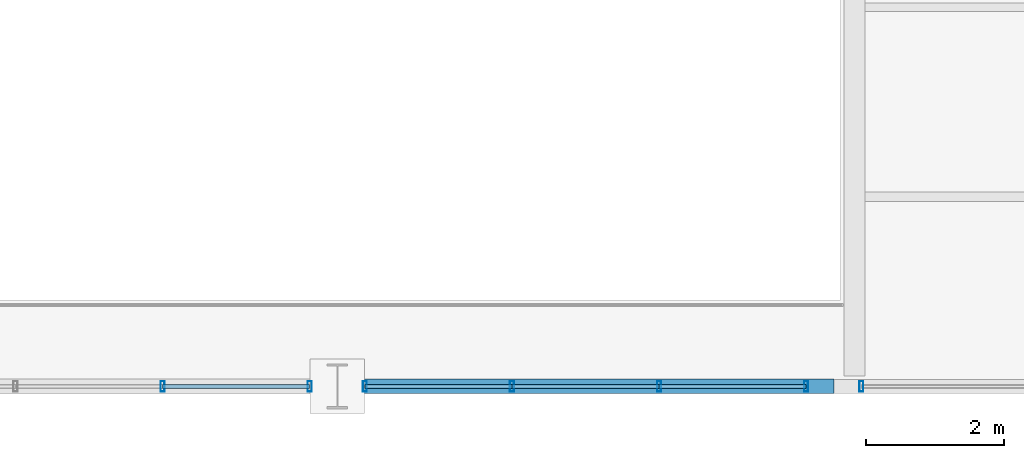
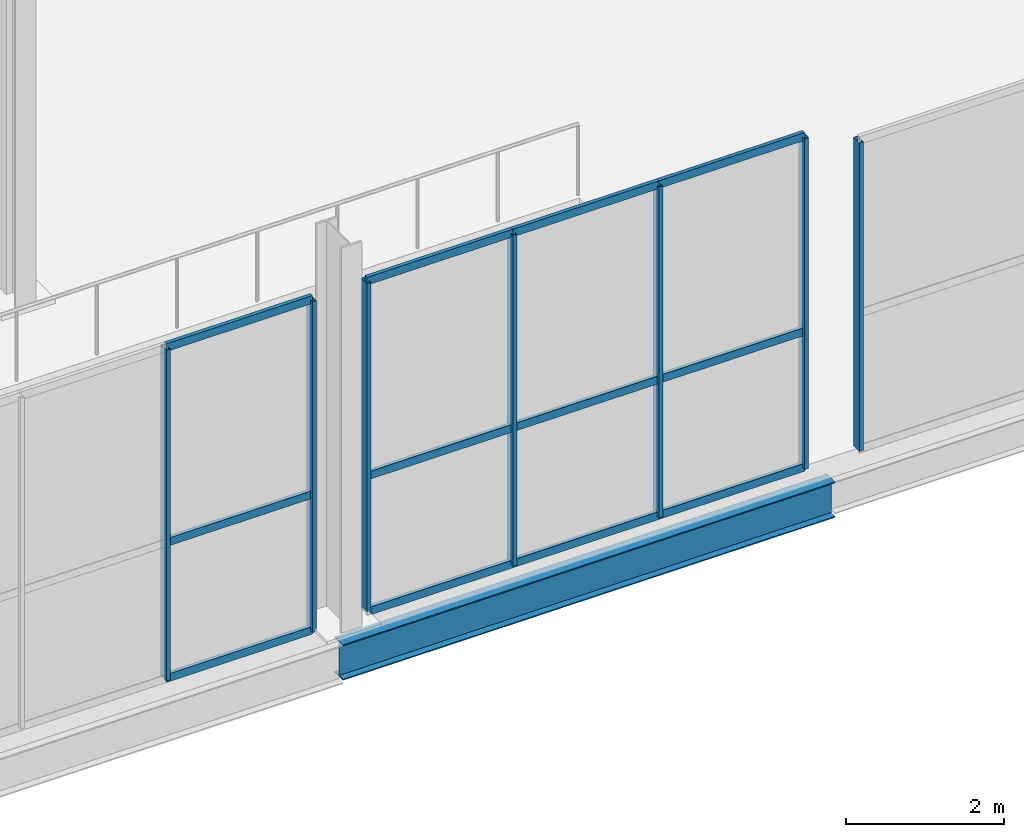
# One storey, part 83 of 144: 19 members, 1 beam, 3 elements without a shape of their own.
"""IFC4 building model written with IfcOpenShell, lengths in metres."""

from ifc_helpers import new_model, si_unit, direction, frame, origin, origin_2d, place, context, subcontext, project, spatial, hollow_rectangle, i_section, extrude, material, layer, layer_set, material_profile, profile_set, type_object, element, aggregate, save


model = new_model("IFC4")

# Units and contexts
model_context = context("Model", 3, precision=1e-05, world=origin(), true_north=direction((0.0, 1.0)))
body_context = subcontext(model_context, "Body", "Model", "MODEL_VIEW")
ifc_project = project(units=[si_unit("LENGTHUNIT", "METRE"), si_unit("AREAUNIT", "SQUARE_METRE"), si_unit("VOLUMEUNIT", "CUBIC_METRE"), si_unit("PLANEANGLEUNIT", "RADIAN"), si_unit("MASSUNIT", "GRAM", prefix="KILO")], contexts=[model_context])

# Site, building, storey
site_placement = place(None, origin())
site = spatial("IfcSite", under=ifc_project, at=site_placement, CompositionType="ELEMENT")
building_placement = place(site_placement, origin())
building = spatial("IfcBuilding", under=site, at=building_placement, Name="Sundgate Opera House", CompositionType="ELEMENT")
storey_placement = place(building_placement, origin())
storey = spatial("IfcBuildingStorey", under=building, at=storey_placement, Name="L00", CompositionType="ELEMENT", Elevation=0.0)

# Beam
ifc_material_1 = material(Name="Steel S355J2", Category="steel")
ifc_material_profile_1 = material_profile(ifc_material_1, i_section(OverallWidth=0.2099609375, OverallDepth=0.550048828125, WebThickness=0.010986328125, FlangeThickness=0.01708984375, at=origin_2d()), Name="IPE 550")
ifc_profile_set_1 = profile_set([ifc_material_profile_1], Name="Steel S355J2")
beam_type = type_object("IfcBeamType", Name="BM-GR-IPE550", PredefinedType="BEAM", material=ifc_profile_set_1)
beam_placement = place(storey_placement, frame((160.199951171875, 0.0, -0.594970703125), z_axis=(1.0, 0.0, 0.0), x_axis=(0.0, 1.0, 0.0)))
element("IfcBeam", 1, at=beam_placement, inside=storey, type_object=beam_type, Name="L00 Primary E-W Girder B0337", PredefinedType="BEAM", context=body_context, shape_type="SweptSolid", body=[
    extrude(i_section(OverallWidth=0.2099609375, OverallDepth=0.550048828125, WebThickness=0.010986328125, FlangeThickness=0.01708984375, at=origin_2d()), origin(), (0.0, 0.0, 1.0), 7.199951171875),
])

# Curtain wall, members
ifc_material_2 = material(Name="Anodized aluminium and low-iron glass", Category="aluminium")
ifc_layer = layer(ifc_material_2, 0.14990234375)
ifc_layer_set = layer_set([ifc_layer], Name="Anodized aluminium and low-iron glass")
curtain_wall_type = type_object("IfcCurtainWallType", Name="CW-WORKSHOP-DARK", PredefinedType="NOTDEFINED", material=ifc_layer_set)
curtain_wall_1_placement = place(storey_placement, origin())
curtain_wall_1 = element("IfcCurtainWall", 2, at=curtain_wall_1_placement, inside=storey, type_object=curtain_wall_type, Name="L00 Curtain Wall CW128", PredefinedType="NOTDEFINED")
ifc_material_3 = material(Name="Anodized aluminium EN AW-6063", Category="aluminium")
ifc_material_profile_2 = material_profile(ifc_material_3, hollow_rectangle(XDim=0.06005859375, YDim=0.14990234375, WallThickness=0.00390625, at=origin_2d()), Name="CWM 150x60x4")
ifc_profile_set_2 = profile_set([ifc_material_profile_2], Name="Anodized aluminium EN AW-6063")
member_type_1 = type_object("IfcMemberType", Name="CWM-ALU-150x60", PredefinedType="MULLION", material=ifc_profile_set_2)
member_1_placement = place(storey_placement, frame((159.800048828125, 0.0, 0.0), z_axis=(0.0, 0.0, 1.0), x_axis=(1.0, 0.0, 0.0)))
member_1 = element("IfcMember", 3, at=member_1_placement, type_object=member_type_1, Name="CW128 Mullion 1", PredefinedType="MULLION", context=body_context, shape_type="SweptSolid", body=[
    extrude(hollow_rectangle(XDim=0.06005859375, YDim=0.14990234375, WallThickness=0.00390625, at=origin_2d()), origin(), (0.0, 0.0, 1.0), 5.114990234375),
])
member_2_placement = place(storey_placement, frame((157.666748046875, 0.0, 0.0), z_axis=(0.0, 0.0, 1.0), x_axis=(1.0, 0.0, 0.0)))
member_2 = element("IfcMember", 4, at=member_2_placement, type_object=member_type_1, Name="CW128 Mullion 2", PredefinedType="MULLION", context=body_context, shape_type="SweptSolid", body=[
    extrude(hollow_rectangle(XDim=0.06005859375, YDim=0.14990234375, WallThickness=0.00390625, at=origin_2d()), origin(), (0.0, 0.0, 1.0), 5.114990234375),
])

curtain_wall_2_placement = place(storey_placement, origin())
curtain_wall_2 = element("IfcCurtainWall", 5, at=curtain_wall_2_placement, inside=storey, type_object=curtain_wall_type, Name="L00 Curtain Wall CW129", PredefinedType="NOTDEFINED")
member_3_placement = place(storey_placement, frame((167.0, 0.0, 0.0), z_axis=(0.0, 0.0, 1.0), x_axis=(1.0, 0.0, 0.0)))
member_3 = element("IfcMember", 6, at=member_3_placement, type_object=member_type_1, Name="CW129 Mullion 1", PredefinedType="MULLION", context=body_context, shape_type="SweptSolid", body=[
    extrude(hollow_rectangle(XDim=0.06005859375, YDim=0.14990234375, WallThickness=0.00390625, at=origin_2d()), origin(), (0.0, 0.0, 1.0), 5.114990234375),
])
member_4_placement = place(storey_placement, frame((164.86669921875, 0.0, 0.0), z_axis=(0.0, 0.0, 1.0), x_axis=(1.0, 0.0, 0.0)))
member_4 = element("IfcMember", 7, at=member_4_placement, type_object=member_type_1, Name="CW129 Mullion 2", PredefinedType="MULLION", context=body_context, shape_type="SweptSolid", body=[
    extrude(hollow_rectangle(XDim=0.06005859375, YDim=0.14990234375, WallThickness=0.00390625, at=origin_2d()), origin(), (0.0, 0.0, 1.0), 5.114990234375),
])
member_5_placement = place(storey_placement, frame((162.7333984375, 0.0, 0.0), z_axis=(0.0, 0.0, 1.0), x_axis=(1.0, 0.0, 0.0)))
member_5 = element("IfcMember", 8, at=member_5_placement, type_object=member_type_1, Name="CW129 Mullion 3", PredefinedType="MULLION", context=body_context, shape_type="SweptSolid", body=[
    extrude(hollow_rectangle(XDim=0.06005859375, YDim=0.14990234375, WallThickness=0.00390625, at=origin_2d()), origin(), (0.0, 0.0, 1.0), 5.114990234375),
])
member_6_placement = place(storey_placement, frame((160.60009765625, 0.0, 0.0), z_axis=(0.0, 0.0, 1.0), x_axis=(1.0, 0.0, 0.0)))
member_6 = element("IfcMember", 9, at=member_6_placement, type_object=member_type_1, Name="CW129 Mullion 4", PredefinedType="MULLION", context=body_context, shape_type="SweptSolid", body=[
    extrude(hollow_rectangle(XDim=0.06005859375, YDim=0.14990234375, WallThickness=0.00390625, at=origin_2d()), origin(), (0.0, 0.0, 1.0), 5.114990234375),
])

# Curtain wall, member
curtain_wall_3_placement = place(storey_placement, origin())
curtain_wall_3 = element("IfcCurtainWall", 10, at=curtain_wall_3_placement, inside=storey, type_object=curtain_wall_type, Name="L00 Curtain Wall CW130", PredefinedType="NOTDEFINED")
member_7_placement = place(storey_placement, frame((167.800048828125, 0.0, 0.0), z_axis=(0.0, 0.0, 1.0), x_axis=(1.0, 0.0, 0.0)))
member_7 = element("IfcMember", 11, at=member_7_placement, type_object=member_type_1, Name="CW130 Mullion 4", PredefinedType="MULLION", context=body_context, shape_type="SweptSolid", body=[
    extrude(hollow_rectangle(XDim=0.06005859375, YDim=0.14990234375, WallThickness=0.00390625, at=origin_2d()), origin(), (0.0, 0.0, 1.0), 4.77001953125),
])
aggregate(curtain_wall_3, [member_7])

# Member
ifc_material_4 = material(Name="Anodized aluminium EN AW-6063", Category="aluminium")
ifc_material_profile_3 = material_profile(ifc_material_4, hollow_rectangle(XDim=0.054931640625, YDim=0.1201171875, WallThickness=0.00390625, at=origin_2d()), Name="CWT 120x55x4")
ifc_profile_set_3 = profile_set([ifc_material_profile_3], Name="Anodized aluminium EN AW-6063")
member_type_2 = type_object("IfcMemberType", Name="CWT-ALU-120x55", PredefinedType="USERDEFINED", material=ifc_profile_set_3)
member_8_placement = place(storey_placement, frame((159.800048828125, 0.0, 0.0), z_axis=(-1.0, 0.0, 0.0), x_axis=(0.0, -1.0, 0.0)))
member_8 = element("IfcMember", 12, at=member_8_placement, type_object=member_type_2, Name="CW128 Transom 1", ObjectType="TRANSOM", PredefinedType="USERDEFINED", context=body_context, shape_type="SweptSolid", body=[
    extrude(hollow_rectangle(XDim=0.054931640625, YDim=0.1201171875, WallThickness=0.00390625, at=origin_2d()), origin(), (0.0, 0.0, 1.0), 2.13330078125),
])

member_9_placement = place(storey_placement, frame((159.800048828125, 0.0, 2.10009765625), z_axis=(-1.0, 0.0, 0.0), x_axis=(0.0, -1.0, 0.0)))
member_9 = element("IfcMember", 13, at=member_9_placement, type_object=member_type_2, Name="CW128 Transom 2", ObjectType="TRANSOM", PredefinedType="USERDEFINED", context=body_context, shape_type="SweptSolid", body=[
    extrude(hollow_rectangle(XDim=0.054931640625, YDim=0.1201171875, WallThickness=0.00390625, at=origin_2d()), origin(), (0.0, 0.0, 1.0), 2.13330078125),
])

member_10_placement = place(storey_placement, frame((159.800048828125, 0.0, 5.114990234375), z_axis=(-1.0, 0.0, 0.0), x_axis=(0.0, -1.0, 0.0)))
member_10 = element("IfcMember", 14, at=member_10_placement, type_object=member_type_2, Name="CW128 Transom 3", ObjectType="TRANSOM", PredefinedType="USERDEFINED", context=body_context, shape_type="SweptSolid", body=[
    extrude(hollow_rectangle(XDim=0.054931640625, YDim=0.1201171875, WallThickness=0.00390625, at=origin_2d()), origin(), (0.0, 0.0, 1.0), 2.13330078125),
])

aggregate(curtain_wall_1, [member_1, member_2, member_8, member_9, member_10])

member_11_placement = place(storey_placement, frame((167.0, 0.0, 0.0), z_axis=(-1.0, 0.0, 0.0), x_axis=(0.0, -1.0, 0.0)))
member_11 = element("IfcMember", 15, at=member_11_placement, type_object=member_type_2, Name="CW129 Transom 1", ObjectType="TRANSOM", PredefinedType="USERDEFINED", context=body_context, shape_type="SweptSolid", body=[
    extrude(hollow_rectangle(XDim=0.054931640625, YDim=0.1201171875, WallThickness=0.00390625, at=origin_2d()), origin(), (0.0, 0.0, 1.0), 2.13330078125),
])

member_12_placement = place(storey_placement, frame((167.0, 0.0, 2.10009765625), z_axis=(-1.0, 0.0, 0.0), x_axis=(0.0, -1.0, 0.0)))
member_12 = element("IfcMember", 16, at=member_12_placement, type_object=member_type_2, Name="CW129 Transom 2", ObjectType="TRANSOM", PredefinedType="USERDEFINED", context=body_context, shape_type="SweptSolid", body=[
    extrude(hollow_rectangle(XDim=0.054931640625, YDim=0.1201171875, WallThickness=0.00390625, at=origin_2d()), origin(), (0.0, 0.0, 1.0), 2.13330078125),
])

member_13_placement = place(storey_placement, frame((167.0, 0.0, 5.114990234375), z_axis=(-1.0, 0.0, 0.0), x_axis=(0.0, -1.0, 0.0)))
member_13 = element("IfcMember", 17, at=member_13_placement, type_object=member_type_2, Name="CW129 Transom 3", ObjectType="TRANSOM", PredefinedType="USERDEFINED", context=body_context, shape_type="SweptSolid", body=[
    extrude(hollow_rectangle(XDim=0.054931640625, YDim=0.1201171875, WallThickness=0.00390625, at=origin_2d()), origin(), (0.0, 0.0, 1.0), 2.13330078125),
])

member_14_placement = place(storey_placement, frame((164.86669921875, 0.0, 0.0), z_axis=(-1.0, 0.0, 0.0), x_axis=(0.0, -1.0, 0.0)))
member_14 = element("IfcMember", 18, at=member_14_placement, type_object=member_type_2, Name="CW129 Transom 4", ObjectType="TRANSOM", PredefinedType="USERDEFINED", context=body_context, shape_type="SweptSolid", body=[
    extrude(hollow_rectangle(XDim=0.054931640625, YDim=0.1201171875, WallThickness=0.00390625, at=origin_2d()), origin(), (0.0, 0.0, 1.0), 2.13330078125),
])

member_15_placement = place(storey_placement, frame((164.86669921875, 0.0, 2.10009765625), z_axis=(-1.0, 0.0, 0.0), x_axis=(0.0, -1.0, 0.0)))
member_15 = element("IfcMember", 19, at=member_15_placement, type_object=member_type_2, Name="CW129 Transom 5", ObjectType="TRANSOM", PredefinedType="USERDEFINED", context=body_context, shape_type="SweptSolid", body=[
    extrude(hollow_rectangle(XDim=0.054931640625, YDim=0.1201171875, WallThickness=0.00390625, at=origin_2d()), origin(), (0.0, 0.0, 1.0), 2.13330078125),
])

member_16_placement = place(storey_placement, frame((164.86669921875, 0.0, 5.114990234375), z_axis=(-1.0, 0.0, 0.0), x_axis=(0.0, -1.0, 0.0)))
member_16 = element("IfcMember", 20, at=member_16_placement, type_object=member_type_2, Name="CW129 Transom 6", ObjectType="TRANSOM", PredefinedType="USERDEFINED", context=body_context, shape_type="SweptSolid", body=[
    extrude(hollow_rectangle(XDim=0.054931640625, YDim=0.1201171875, WallThickness=0.00390625, at=origin_2d()), origin(), (0.0, 0.0, 1.0), 2.13330078125),
])

member_17_placement = place(storey_placement, frame((162.7333984375, 0.0, 0.0), z_axis=(-1.0, 0.0, 0.0), x_axis=(0.0, -1.0, 0.0)))
member_17 = element("IfcMember", 21, at=member_17_placement, type_object=member_type_2, Name="CW129 Transom 7", ObjectType="TRANSOM", PredefinedType="USERDEFINED", context=body_context, shape_type="SweptSolid", body=[
    extrude(hollow_rectangle(XDim=0.054931640625, YDim=0.1201171875, WallThickness=0.00390625, at=origin_2d()), origin(), (0.0, 0.0, 1.0), 2.13330078125),
])

member_18_placement = place(storey_placement, frame((162.7333984375, 0.0, 2.10009765625), z_axis=(-1.0, 0.0, 0.0), x_axis=(0.0, -1.0, 0.0)))
member_18 = element("IfcMember", 22, at=member_18_placement, type_object=member_type_2, Name="CW129 Transom 8", ObjectType="TRANSOM", PredefinedType="USERDEFINED", context=body_context, shape_type="SweptSolid", body=[
    extrude(hollow_rectangle(XDim=0.054931640625, YDim=0.1201171875, WallThickness=0.00390625, at=origin_2d()), origin(), (0.0, 0.0, 1.0), 2.13330078125),
])

member_19_placement = place(storey_placement, frame((162.7333984375, 0.0, 5.114990234375), z_axis=(-1.0, 0.0, 0.0), x_axis=(0.0, -1.0, 0.0)))
member_19 = element("IfcMember", 23, at=member_19_placement, type_object=member_type_2, Name="CW129 Transom 9", ObjectType="TRANSOM", PredefinedType="USERDEFINED", context=body_context, shape_type="SweptSolid", body=[
    extrude(hollow_rectangle(XDim=0.054931640625, YDim=0.1201171875, WallThickness=0.00390625, at=origin_2d()), origin(), (0.0, 0.0, 1.0), 2.13330078125),
])

aggregate(curtain_wall_2, [member_3, member_4, member_5, member_6, member_11, member_12, member_13, member_14, member_15, member_16, member_17, member_18, member_19])

save(model, "model.ifc")
